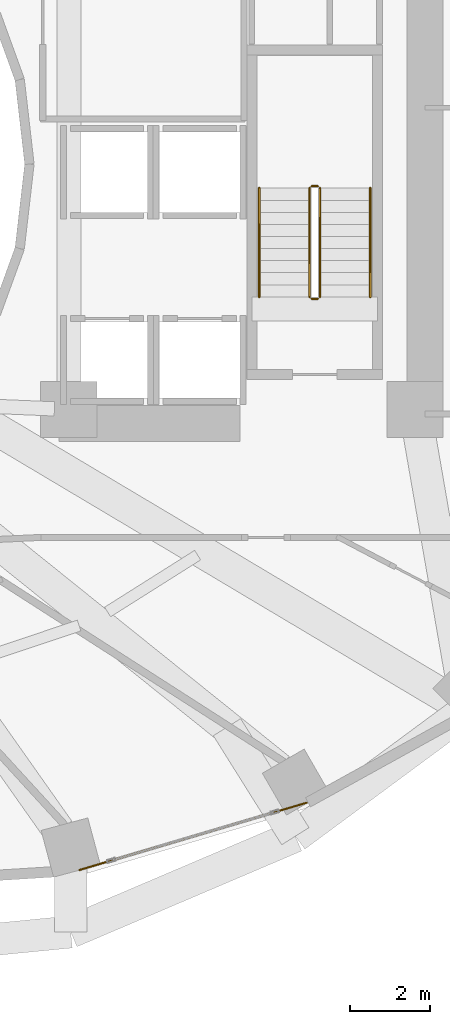
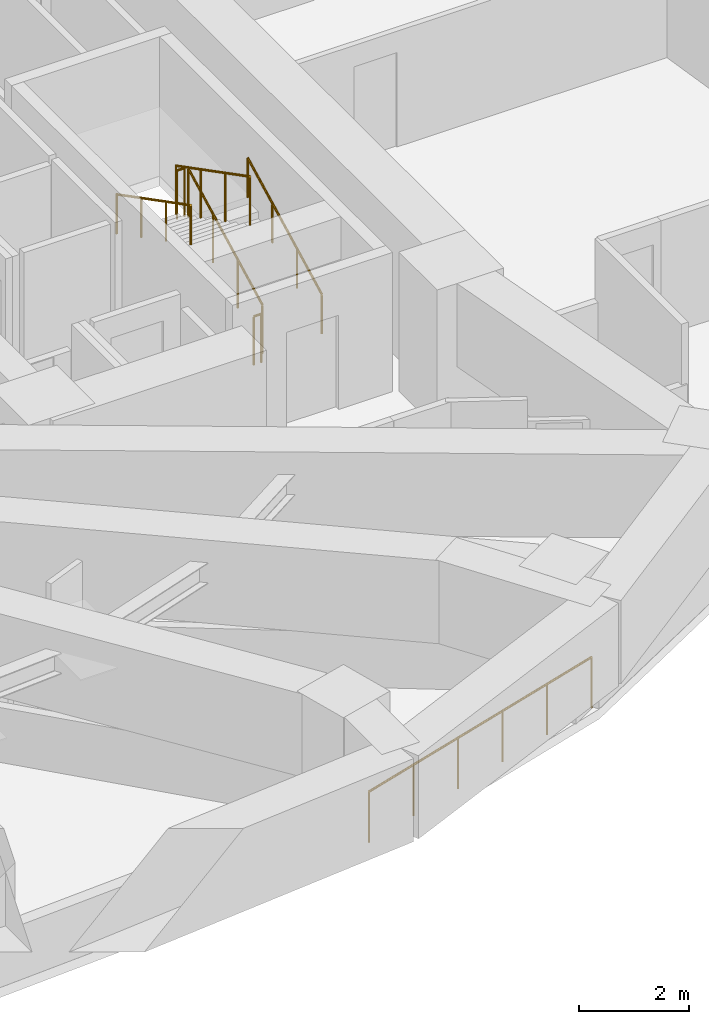
# One storey, part 16 of 17: 7 railings.
"""IFC4 building model written with IfcOpenShell, lengths in metres."""

from ifc_helpers import new_model, si_unit, direction, frame, origin, origin_2d, place, context, subcontext, project, spatial, circle, extrude, material, type_object, element, save


model = new_model("IFC4")

# Units and contexts
model_context = context("Model", 3, precision=1e-05, world=origin(), true_north=direction((0.0, 1.0)))
body_context = subcontext(model_context, "Body", "Model", "MODEL_VIEW")
ifc_project = project(units=[si_unit("LENGTHUNIT", "METRE"), si_unit("AREAUNIT", "SQUARE_METRE"), si_unit("VOLUMEUNIT", "CUBIC_METRE"), si_unit("PLANEANGLEUNIT", "RADIAN"), si_unit("MASSUNIT", "GRAM", prefix="KILO")], contexts=[model_context])

# Site, building, storey
site_placement = place(None, origin())
site = spatial("IfcSite", under=ifc_project, at=site_placement, CompositionType="ELEMENT")
building_placement = place(site_placement, origin())
building = spatial("IfcBuilding", under=site, at=building_placement, Name="Solvane Sanctuary Tower", CompositionType="ELEMENT")
storey_placement = place(building_placement, frame((0.0, 0.0, 52.39990234375)))
storey = spatial("IfcBuildingStorey", under=building, at=storey_placement, Name="L15", CompositionType="ELEMENT", Elevation=52.39990234375)

# Railings
ifc_material = material(Name="Architectural Stainless Steel 316", Category="steel")
railing_type_1 = type_object("IfcRailingType", Name="Railing GR-BALC-1150", PredefinedType="BALUSTRADE", material=ifc_material)
railing_1_placement = place(storey_placement, frame((40.360595703125, 5.45556640625, 0.0)))
element("IfcRailing", 1, at=railing_1_placement, inside=storey, type_object=railing_type_1, Name="L15 Curtain-Wall Perimeter Sill Guard 19", PredefinedType="BALUSTRADE", context=body_context, shape_type="SweptSolid", body=[
    extrude(circle(Radius=0.02392578125, at=origin_2d()), frame((0.0, 0.0, 1.1259765625), z_axis=(0.958844892166, 0.283930401274, 0.0), x_axis=(-0.283930401274, 0.958844892166, 0.0)), (0.0, 0.0, 1.0), 5.895263671875),
    extrude(circle(Radius=0.02099609375, at=origin_2d()), origin(), (0.0, 0.0, 1.0), 1.101806640625),
    extrude(circle(Radius=0.02099609375, at=origin_2d()), frame((1.130615234375, 0.334716796875, 0.0)), (0.0, 0.0, 1.0), 1.101806640625),
    extrude(circle(Radius=0.02099609375, at=origin_2d()), frame((2.260986328125, 0.66943359375, 0.0)), (0.0, 0.0, 1.0), 1.101806640625),
    extrude(circle(Radius=0.02099609375, at=origin_2d()), frame((3.3916015625, 1.00439453125, 0.0)), (0.0, 0.0, 1.0), 1.101806640625),
    extrude(circle(Radius=0.02099609375, at=origin_2d()), frame((4.52197265625, 1.339111328125, 0.0)), (0.0, 0.0, 1.0), 1.101806640625),
    extrude(circle(Radius=0.02099609375, at=origin_2d()), frame((5.652587890625, 1.673828125, 0.0)), (0.0, 0.0, 1.0), 1.101806640625),
])
railing_2_placement = place(storey_placement, frame((46.340087890625, 19.699951171875, 0.155029296875)))
element("IfcRailing", 2, at=railing_2_placement, inside=storey, type_object=railing_type_1, Name="L15 ST-2 stair guard 1", PredefinedType="BALUSTRADE", context=body_context, shape_type="SweptSolid", body=[
    extrude(circle(Radius=0.02392578125, at=origin_2d()), frame((0.0, 0.0, 1.076171875), z_axis=(0.0, 0.888419900624, 0.459031676658), x_axis=(-1.0, 0.0, 0.0)), (0.0, 0.0, 1.0), 3.0390625),
    extrude(circle(Radius=0.02099609375, at=origin_2d()), origin(), (0.0, 0.0, 1.0), 1.052001953125),
    extrude(circle(Radius=0.02099609375, at=origin_2d()), frame((0.0, 0.89990234375, 0.465087890625)), (0.0, 0.0, 1.0), 1.052001953125),
    extrude(circle(Radius=0.02099609375, at=origin_2d()), frame((0.0, 1.800048828125, 0.929931640625)), (0.0, 0.0, 1.0), 1.052001953125),
    extrude(circle(Radius=0.02099609375, at=origin_2d()), frame((0.0, 2.699951171875, 1.39501953125)), (0.0, 0.0, 1.0), 1.052001953125),
])
railing_3_placement = place(storey_placement, frame((46.2900390625, 22.449951171875, 1.550048828125)))
element("IfcRailing", 3, at=railing_3_placement, inside=storey, type_object=railing_type_1, Name="L15 ST-2 stair guard 2", PredefinedType="BALUSTRADE", context=body_context, shape_type="SweptSolid", body=[
    extrude(circle(Radius=0.02392578125, at=origin_2d()), frame((0.0, 0.0, 1.076171875), z_axis=(-1.0, 0.0, 0.0), x_axis=(0.0, -1.0, 0.0)), (0.0, 0.0, 1.0), 0.16015625),
    extrude(circle(Radius=0.02099609375, at=origin_2d()), origin(), (0.0, 0.0, 1.0), 1.052001953125),
    extrude(circle(Radius=0.02099609375, at=origin_2d()), frame((-0.16015625, 0.0, 0.0)), (0.0, 0.0, 1.0), 1.052001953125),
])
railing_4_placement = place(storey_placement, frame((46.080078125, 22.39990234375, 1.705078125)))
element("IfcRailing", 4, at=railing_4_placement, inside=storey, type_object=railing_type_1, Name="L15 ST-2 stair guard 3", PredefinedType="BALUSTRADE", context=body_context, shape_type="SweptSolid", body=[
    extrude(circle(Radius=0.02392578125, at=origin_2d()), frame((0.0, 0.0, 1.076171875), z_axis=(0.0, -0.888419900624, 0.459031676658), x_axis=(1.0, 0.0, 0.0)), (0.0, 0.0, 1.0), 3.0390625),
    extrude(circle(Radius=0.02099609375, at=origin_2d()), origin(), (0.0, 0.0, 1.0), 1.052001953125),
    extrude(circle(Radius=0.02099609375, at=origin_2d()), frame((0.0, -0.89990234375, 0.465087890625)), (0.0, 0.0, 1.0), 1.052001953125),
    extrude(circle(Radius=0.02099609375, at=origin_2d()), frame((0.0, -1.800048828125, 0.929931640625)), (0.0, 0.0, 1.0), 1.052001953125),
    extrude(circle(Radius=0.02099609375, at=origin_2d()), frame((0.0, -2.699951171875, 1.39501953125)), (0.0, 0.0, 1.0), 1.052001953125),
])
railing_5_placement = place(storey_placement, frame((46.2900390625, 19.64990234375, 0.0)))
element("IfcRailing", 5, at=railing_5_placement, inside=storey, type_object=railing_type_1, Name="L15 ST-2 stair guard 4", PredefinedType="BALUSTRADE", context=body_context, shape_type="SweptSolid", body=[
    extrude(circle(Radius=0.02392578125, at=origin_2d()), frame((0.0, 0.0, 1.076171875), z_axis=(-1.0, 0.0, 0.0), x_axis=(0.0, -1.0, 0.0)), (0.0, 0.0, 1.0), 0.16015625),
    extrude(circle(Radius=0.02099609375, at=origin_2d()), origin(), (0.0, 0.0, 1.0), 1.052001953125),
    extrude(circle(Radius=0.02099609375, at=origin_2d()), frame((-0.16015625, 0.0, 0.0)), (0.0, 0.0, 1.0), 1.052001953125),
])
railing_type_2 = type_object("IfcRailingType", Name="Railing HR-STAIR-920", PredefinedType="HANDRAIL", material=ifc_material)
railing_6_placement = place(storey_placement, frame((47.590087890625, 19.699951171875, 0.155029296875)))
element("IfcRailing", 6, at=railing_6_placement, inside=storey, type_object=railing_type_2, Name="L15 ST-2 stair handrail 1", PredefinedType="HANDRAIL", context=body_context, shape_type="SweptSolid", body=[
    extrude(circle(Radius=0.02392578125, at=origin_2d()), frame((0.0, 0.0, 0.8759765625), z_axis=(0.0, 0.888419900624, 0.459031676658), x_axis=(-1.0, 0.0, 0.0)), (0.0, 0.0, 1.0), 3.0390625),
    extrude(circle(Radius=0.02099609375, at=origin_2d()), origin(), (0.0, 0.0, 1.0), 0.851806640625),
    extrude(circle(Radius=0.02099609375, at=origin_2d()), frame((0.0, 0.89990234375, 0.465087890625)), (0.0, 0.0, 1.0), 0.851806640625),
    extrude(circle(Radius=0.02099609375, at=origin_2d()), frame((0.0, 1.800048828125, 0.929931640625)), (0.0, 0.0, 1.0), 0.851806640625),
    extrude(circle(Radius=0.02099609375, at=origin_2d()), frame((0.0, 2.699951171875, 1.39501953125)), (0.0, 0.0, 1.0), 0.851806640625),
])
railing_7_placement = place(storey_placement, frame((44.830078125, 22.39990234375, 1.705078125)))
element("IfcRailing", 7, at=railing_7_placement, inside=storey, type_object=railing_type_2, Name="L15 ST-2 stair handrail 2", PredefinedType="HANDRAIL", context=body_context, shape_type="SweptSolid", body=[
    extrude(circle(Radius=0.02392578125, at=origin_2d()), frame((0.0, 0.0, 0.8759765625), z_axis=(0.0, -0.888419900624, 0.459031676658), x_axis=(1.0, 0.0, 0.0)), (0.0, 0.0, 1.0), 3.0390625),
    extrude(circle(Radius=0.02099609375, at=origin_2d()), origin(), (0.0, 0.0, 1.0), 0.851806640625),
    extrude(circle(Radius=0.02099609375, at=origin_2d()), frame((0.0, -0.89990234375, 0.465087890625)), (0.0, 0.0, 1.0), 0.851806640625),
    extrude(circle(Radius=0.02099609375, at=origin_2d()), frame((0.0, -1.800048828125, 0.929931640625)), (0.0, 0.0, 1.0), 0.851806640625),
    extrude(circle(Radius=0.02099609375, at=origin_2d()), frame((0.0, -2.699951171875, 1.39501953125)), (0.0, 0.0, 1.0), 0.851806640625),
])

save(model, "model.ifc")
